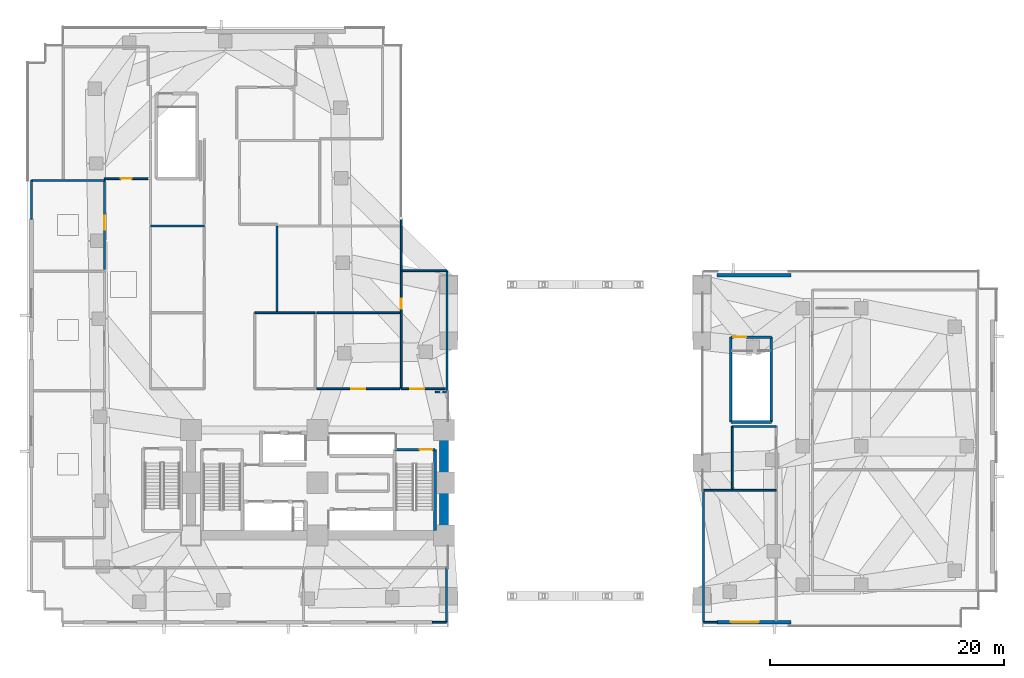
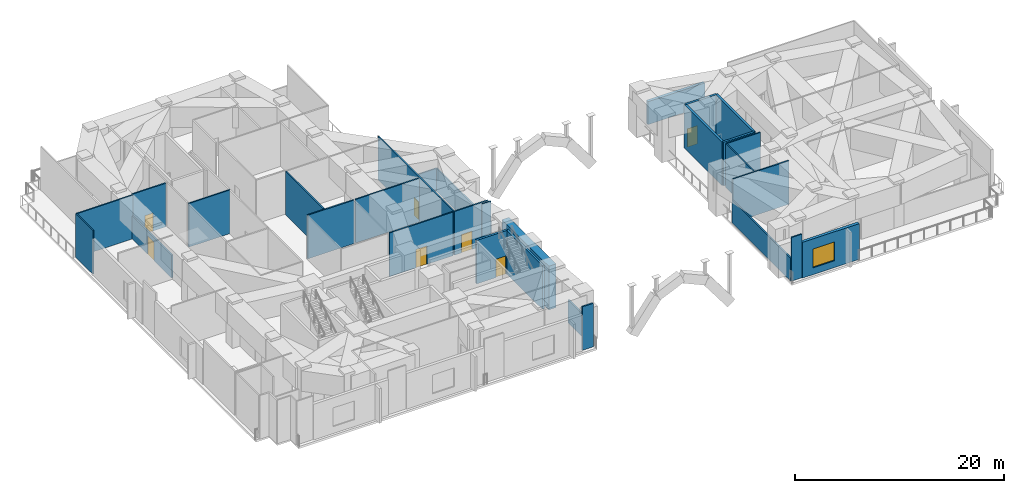
# One storey, part 8 of 15: 30 walls, 7 doors, 1 window, 8 openings.
"""IFC4 building model written with IfcOpenShell, lengths in metres."""

from ifc_helpers import new_model, si_unit, direction, frame, frame_2d, origin, place, context, subcontext, project, spatial, rectangle, extrude, material, layer, layer_set, type_object, element, fill, save


model = new_model("IFC4")

# Units and contexts
model_context = context("Model", 3, precision=1e-05, world=origin(), true_north=direction((0.0, 1.0)))
body_context = subcontext(model_context, "Body", "Model", "MODEL_VIEW")
ifc_project = project(units=[si_unit("LENGTHUNIT", "METRE"), si_unit("AREAUNIT", "SQUARE_METRE"), si_unit("VOLUMEUNIT", "CUBIC_METRE"), si_unit("PLANEANGLEUNIT", "RADIAN"), si_unit("MASSUNIT", "GRAM", prefix="KILO")], contexts=[model_context])

# Site, building, storey
site_placement = place(None, origin())
site = spatial("IfcSite", under=ifc_project, at=site_placement, CompositionType="ELEMENT")
building_placement = place(site_placement, origin())
building = spatial("IfcBuilding", under=site, at=building_placement, Name="Gaonmaruhae Medical Tower", CompositionType="ELEMENT")
storey_placement = place(building_placement, frame((0.0, 0.0, 21.60009765625)))
storey = spatial("IfcBuildingStorey", under=building, at=storey_placement, Name="L04", CompositionType="ELEMENT", Elevation=21.60009765625)

# Wall
ifc_material_1 = material(Name="Concrete C60/75", Category="concrete")
ifc_layer_1 = layer(ifc_material_1, 0.800048828125)
ifc_layer_set_1 = layer_set([ifc_layer_1], Name="Concrete C60/75")
wall_type_1 = type_object("IfcWallType", Name="CW-800 Lower Core Shear Wall", PredefinedType="SHEAR", material=ifc_layer_set_1)
wall_1_placement = place(storey_placement, frame((35.60009765625, 7.800048828125, 0.0), z_axis=(0.0, 0.0, 1.0), x_axis=(0.0, 1.0, 0.0)))
element("IfcWall", 1, at=wall_1_placement, inside=storey, type_object=wall_type_1, Name="L04 Core Shear Wall CSW-E1", PredefinedType="SHEAR", context=body_context, shape_type="SweptSolid", body=[
    extrude(rectangle(XDim=9.0, YDim=0.800048828125, at=frame_2d((4.5, 0.0))), origin(), (0.0, 0.0, 1.0), 5.099853515625),
])

# Wall, opening, window
ifc_material_2 = material(Name="Precast concrete C45/55", Category="concrete")
ifc_layer_2 = layer(ifc_material_2, 0.320068359375)
ifc_layer_set_2 = layer_set([ifc_layer_2], Name="Precast concrete C45/55")
wall_type_2 = type_object("IfcWallType", Name="EW-320 Lower Precast Masonry-Frame Facade Wall", PredefinedType="SOLIDWALL", material=ifc_layer_set_2)
wall_2_placement = place(storey_placement, frame((65.199951171875, 0.39990234375, 0.0), z_axis=(0.0, 0.0, 1.0), x_axis=(-1.0, 0.0, 0.0)))
wall_2 = element("IfcWall", 2, at=wall_2_placement, inside=storey, type_object=wall_type_2, Name="L04 Precast Facade Wall PB-S4", PredefinedType="SOLIDWALL", context=body_context, shape_type="SweptSolid", body=[
    extrude(rectangle(XDim=6.300048828125, YDim=0.320068359375, at=frame_2d((3.14990234375, 0.0))), origin(), (0.0, 0.0, 1.0), 4.179931640625),
])
opening_1_placement = place(wall_2_placement, frame((2.739990234375, 0.0, 0.800048828125)))
opening_1 = element("IfcOpeningElement", 3, at=opening_1_placement, cuts=wall_2, Name="Opening WN-06", PredefinedType="OPENING", context=body_context, shape_type="SweptSolid", body=[
    extrude(rectangle(XDim=2.39990234375, YDim=2.199951171875, at=frame_2d((1.199951171875, 1.10009765625))), frame((0.0, 0.169921875, 0.0), z_axis=(0.0, -1.0, 0.0), x_axis=(1.0, 0.0, 0.0)), (0.0, 0.0, 1.0), 0.340087890625),
])
ifc_material_3 = material(Name="Anodised aluminium and Low-E double glazing", Category="aluminium")
window_type = type_object("IfcWindowType", Name="WN-06 Podium Diagnostic Punched Window 2400x2200", PartitioningType="SINGLE_PANEL", PredefinedType="WINDOW", material=ifc_material_3)
window_placement = place(opening_1_placement, origin())
window = element("IfcWindow", 4, at=window_placement, inside=storey, type_object=window_type, Name="L04 Podium Punched Window PB-S4", OverallHeight=2.199951171875, OverallWidth=2.39990234375, PartitioningType="SINGLE_PANEL", PredefinedType="WINDOW", context=body_context, shape_type="SweptSolid", body=[
    extrude(rectangle(XDim=2.39990234375, YDim=2.199951171875, at=frame_2d((1.199951171875, 1.10009765625))), frame((0.0, 0.030029296875, 0.0), z_axis=(0.0, -1.0, 0.0), x_axis=(1.0, 0.0, 0.0)), (0.0, 0.0, 1.0), 0.06005859375),
])
fill(opening_1, window)

# Walls
wall_3_placement = place(storey_placement, frame((58.89990234375, 30.0, 0.0), z_axis=(0.0, 0.0, 1.0), x_axis=(1.0, 0.0, 0.0)))
element("IfcWall", 5, at=wall_3_placement, inside=storey, type_object=wall_type_2, Name="L04 Precast Facade Wall PB-N1", PredefinedType="SOLIDWALL", context=body_context, shape_type="SweptSolid", body=[
    extrude(rectangle(XDim=6.300048828125, YDim=0.320068359375, at=frame_2d((3.14990234375, 0.0))), origin(), (0.0, 0.0, 1.0), 2.684814453125),
])
ifc_material_4 = material(Name="Gypsum board partition", Category="gypsum")
ifc_layer_3 = layer(ifc_material_4, 0.14990234375)
ifc_layer_set_3 = layer_set([ifc_layer_3], Name="Gypsum board partition")
wall_type_3 = type_object("IfcWallType", Name="PW-150 Rated Clinical Corridor Partition", PredefinedType="PARTITIONING", material=ifc_layer_set_3)
wall_4_placement = place(storey_placement, frame((0.39990234375, 38.10009765625, 0.0), z_axis=(0.0, 0.0, 1.0), x_axis=(1.0, 0.0, 0.0)))
element("IfcWall", 6, at=wall_4_placement, inside=storey, type_object=wall_type_3, Name="L04 Interior Partition L04-WP3-12", PredefinedType="PARTITIONING", context=body_context, shape_type="SweptSolid", body=[
    extrude(rectangle(XDim=6.22021484375, YDim=0.14990234375, at=frame_2d((3.110107421875, 0.0))), origin(), (0.0, 0.0, 1.0), 5.099853515625),
])

# Wall, opening, door
wall_5_placement = place(storey_placement, frame((6.6201171875, 38.10009765625, 0.0), z_axis=(0.0, 0.0, 1.0), x_axis=(0.0, -1.0, 0.0)))
wall_5 = element("IfcWall", 7, at=wall_5_placement, inside=storey, type_object=wall_type_3, Name="L04 Interior Partition L04-WP3-13", PredefinedType="PARTITIONING", context=body_context, shape_type="SweptSolid", body=[
    extrude(rectangle(XDim=7.60009765625, YDim=0.14990234375, at=frame_2d((3.800048828125, 0.0))), origin(), (0.0, 0.0, 1.0), 2.684814453125),
])
opening_2_placement = place(wall_5_placement, frame((3.02490234375, 0.0, 0.0)))
opening_2 = element("IfcOpeningElement", 8, at=opening_2_placement, cuts=wall_5, Name="Opening CD-02", PredefinedType="OPENING", context=body_context, shape_type="SweptSolid", body=[
    extrude(rectangle(XDim=1.199951171875, YDim=2.14990234375, at=frame_2d((0.60009765625, 1.074951171875))), frame((0.0, 0.0849609375, 0.0), z_axis=(0.0, -1.0, 0.0), x_axis=(1.0, 0.0, 0.0)), (0.0, 0.0, 1.0), 0.169921875),
])
ifc_material_5 = material(Name="Antimicrobial laminate timber fire door", Category="wood")
door_type_1 = type_object("IfcDoorType", Name="CD-02 Clinical Treatment & Procedure Door 1200x2150", OperationType="NOTDEFINED", PredefinedType="DOOR", material=ifc_material_5)
door_1_placement = place(opening_2_placement, origin())
door_1 = element("IfcDoor", 9, at=door_1_placement, inside=storey, type_object=door_type_1, Name="L04 L04 Rehabilitation Physiotherapy Suite Door", OperationType="SINGLE_SWING_LEFT", OverallHeight=2.14990234375, OverallWidth=1.199951171875, PredefinedType="DOOR", context=body_context, shape_type="SweptSolid", body=[
    extrude(rectangle(XDim=1.199951171875, YDim=2.14990234375, at=frame_2d((0.60009765625, 1.074951171875))), frame((0.0, 0.02490234375, 0.0), z_axis=(0.0, -1.0, 0.0), x_axis=(1.0, 0.0, 0.0)), (0.0, 0.0, 1.0), 0.050048828125),
])
fill(opening_2, door_1)

# Walls
wall_6_placement = place(storey_placement, frame((0.39990234375, 34.800048828125, 0.0), z_axis=(0.0, 0.0, 1.0), x_axis=(0.0, 1.0, 0.0)))
element("IfcWall", 10, at=wall_6_placement, inside=storey, type_object=wall_type_3, Name="L04 Interior Partition L04-WP3-14", PredefinedType="PARTITIONING", context=body_context, shape_type="SweptSolid", body=[
    extrude(rectangle(XDim=3.300048828125, YDim=0.14990234375, at=frame_2d((1.64990234375, 0.0))), origin(), (0.0, 0.0, 1.0), 5.099853515625),
])
wall_7_placement = place(storey_placement, frame((35.85009765625, 30.39990234375, 0.0), z_axis=(0.0, 0.0, 1.0), x_axis=(0.0, -1.0, 0.0)))
element("IfcWall", 11, at=wall_7_placement, inside=storey, type_object=wall_type_3, Name="L04 Interior Partition L04-WP4-15", PredefinedType="PARTITIONING", context=body_context, shape_type="SweptSolid", body=[
    extrude(rectangle(XDim=10.349853515625, YDim=0.14990234375, at=frame_2d((5.1748046875, 0.0))), origin(), (0.0, 0.0, 1.0), 2.684814453125),
])
wall_8_placement = place(storey_placement, frame((35.85009765625, 20.050048828125, 0.0), z_axis=(0.0, 0.0, 1.0), x_axis=(-1.0, 0.0, 0.0)))
element("IfcWall", 12, at=wall_8_placement, inside=storey, type_object=wall_type_3, Name="L04 Interior Partition L04-WP4-16", PredefinedType="PARTITIONING", context=body_context, shape_type="SweptSolid", body=[
    extrude(rectangle(XDim=0.989990234375, YDim=0.14990234375, at=frame_2d((0.4951171875, 0.0))), origin(), (0.0, 0.0, 1.0), 5.099853515625),
])

# Wall, opening, door
wall_9_placement = place(storey_placement, frame((35.68994140625, 20.31005859375, 0.0), z_axis=(0.0, 0.0, 1.0), x_axis=(-1.0, 0.0, 0.0)))
wall_9 = element("IfcWall", 13, at=wall_9_placement, inside=storey, type_object=wall_type_3, Name="L04 Interior Partition L04-WP4-17", PredefinedType="PARTITIONING", context=body_context, shape_type="SweptSolid", body=[
    extrude(rectangle(XDim=3.739990234375, YDim=0.14990234375, at=frame_2d((1.8701171875, 0.0))), origin(), (0.0, 0.0, 1.0), 5.099853515625),
])
opening_3_placement = place(wall_9_placement, frame((1.7919921875, 0.0, 0.0)))
opening_3 = element("IfcOpeningElement", 14, at=opening_3_placement, cuts=wall_9, Name="Opening CD-02", PredefinedType="OPENING", context=body_context, shape_type="SweptSolid", body=[
    extrude(rectangle(XDim=1.199951171875, YDim=2.14990234375, at=frame_2d((0.60009765625, 1.074951171875))), frame((0.0, 0.0849609375, 0.0), z_axis=(0.0, -1.0, 0.0), x_axis=(1.0, 0.0, 0.0)), (0.0, 0.0, 1.0), 0.169921875),
])
door_2_placement = place(opening_3_placement, origin())
door_2 = element("IfcDoor", 15, at=door_2_placement, inside=storey, type_object=door_type_1, Name="L04 L04 Outpatient Ultrasound Room Door", OperationType="SINGLE_SWING_RIGHT", OverallHeight=2.14990234375, OverallWidth=1.199951171875, PredefinedType="DOOR", context=body_context, shape_type="SweptSolid", body=[
    extrude(rectangle(XDim=1.199951171875, YDim=2.14990234375, at=frame_2d((0.60009765625, 1.074951171875))), frame((0.0, 0.02490234375, 0.0), z_axis=(0.0, -1.0, 0.0), x_axis=(1.0, 0.0, 0.0)), (0.0, 0.0, 1.0), 0.050048828125),
])
fill(opening_3, door_2)

wall_10_placement = place(storey_placement, frame((31.949951171875, 20.31005859375, 0.0), z_axis=(0.0, 0.0, 1.0), x_axis=(0.0, 1.0, 0.0)))
wall_10 = element("IfcWall", 16, at=wall_10_placement, inside=storey, type_object=wall_type_3, Name="L04 Interior Partition L04-WP4-18", PredefinedType="PARTITIONING", context=body_context, shape_type="SweptSolid", body=[
    extrude(rectangle(XDim=14.489990234375, YDim=0.14990234375, at=frame_2d((7.2451171875, 0.0))), origin(), (0.0, 0.0, 1.0), 5.099853515625),
])
opening_4_placement = place(wall_10_placement, frame((6.81494140625, 0.0, 0.0)))
opening_4 = element("IfcOpeningElement", 17, at=opening_4_placement, cuts=wall_10, Name="Opening AD-01", PredefinedType="OPENING", context=body_context, shape_type="SweptSolid", body=[
    extrude(rectangle(XDim=0.860107421875, YDim=2.06005859375, at=frame_2d((0.43017578125, 1.030029296875))), frame((0.0, 0.0849609375, 0.0), z_axis=(0.0, -1.0, 0.0), x_axis=(1.0, 0.0, 0.0)), (0.0, 0.0, 1.0), 0.169921875),
])
ifc_material_6 = material(Name="Powder-coated steel access door", Category="steel")
door_type_2 = type_object("IfcDoorType", Name="AD-01 Riser & Closet Access Fire Door 860x2060", OperationType="NOTDEFINED", PredefinedType="DOOR", material=ifc_material_6)
door_3_placement = place(opening_4_placement, origin())
door_3 = element("IfcDoor", 18, at=door_3_placement, inside=storey, type_object=door_type_2, Name="L04 Sterile Instrument Preparation Room Sliding Door", OperationType="SLIDING_TO_LEFT", OverallHeight=2.06005859375, OverallWidth=0.860107421875, PredefinedType="DOOR", context=body_context, shape_type="SweptSolid", body=[
    extrude(rectangle(XDim=0.860107421875, YDim=2.06005859375, at=frame_2d((0.43017578125, 1.030029296875))), frame((0.0, 0.02490234375, 0.0), z_axis=(0.0, -1.0, 0.0), x_axis=(1.0, 0.0, 0.0)), (0.0, 0.0, 1.0), 0.050048828125),
])
fill(opening_4, door_3)

# Walls
wall_11_placement = place(storey_placement, frame((32.0, 30.39990234375, 0.0), z_axis=(0.0, 0.0, 1.0), x_axis=(1.0, 0.0, 0.0)))
element("IfcWall", 19, at=wall_11_placement, inside=storey, type_object=wall_type_3, Name="L04 Interior Partition L04-WP4-19", PredefinedType="PARTITIONING", context=body_context, shape_type="SweptSolid", body=[
    extrude(rectangle(XDim=3.85009765625, YDim=0.14990234375, at=frame_2d((1.925048828125, 0.0))), origin(), (0.0, 0.0, 1.0), 2.684814453125),
])
wall_12_placement = place(storey_placement, frame((57.75, 11.64990234375, 0.0), z_axis=(0.0, 0.0, 1.0), x_axis=(1.0, 0.0, 0.0)))
element("IfcWall", 20, at=wall_12_placement, inside=storey, type_object=wall_type_3, Name="L04 Interior Partition L04-EA4-30", PredefinedType="PARTITIONING", context=body_context, shape_type="SweptSolid", body=[
    extrude(rectangle(XDim=6.199951171875, YDim=0.14990234375, at=frame_2d((3.10009765625, 0.0))), origin(), (0.0, 0.0, 1.0), 5.099853515625),
])
wall_13_placement = place(storey_placement, frame((58.89990234375, 0.39990234375, 0.0), z_axis=(0.0, 0.0, 1.0), x_axis=(-1.0, 0.0, 0.0)))
element("IfcWall", 21, at=wall_13_placement, inside=storey, type_object=wall_type_3, Name="L04 Interior Partition L04-EA4-32", PredefinedType="PARTITIONING", context=body_context, shape_type="SweptSolid", body=[
    extrude(rectangle(XDim=1.14990234375, YDim=0.14990234375, at=frame_2d((0.574951171875, 0.0))), origin(), (0.0, 0.0, 1.0), 5.099853515625),
])
wall_14_placement = place(storey_placement, frame((57.75, 0.39990234375, 0.0), z_axis=(0.0, 0.0, 1.0), x_axis=(0.0, 1.0, 0.0)))
element("IfcWall", 22, at=wall_14_placement, inside=storey, type_object=wall_type_3, Name="L04 Interior Partition L04-EA4-33", PredefinedType="PARTITIONING", context=body_context, shape_type="SweptSolid", body=[
    extrude(rectangle(XDim=11.25, YDim=0.14990234375, at=frame_2d((5.625, 0.0))), origin(), (0.0, 0.0, 1.0), 2.684814453125),
])
wall_15_placement = place(storey_placement, frame((60.199951171875, 17.10009765625, 0.0), z_axis=(0.0, 0.0, 1.0), x_axis=(1.0, 0.0, 0.0)))
element("IfcWall", 23, at=wall_15_placement, inside=storey, type_object=wall_type_3, Name="L04 Interior Partition L04-EAW-34", PredefinedType="PARTITIONING", context=body_context, shape_type="SweptSolid", body=[
    extrude(rectangle(XDim=3.75, YDim=0.14990234375, at=frame_2d((1.875, 0.0))), origin(), (0.0, 0.0, 1.0), 5.099853515625),
])
wall_16_placement = place(storey_placement, frame((60.199951171875, 11.800048828125, 0.0), z_axis=(0.0, 0.0, 1.0), x_axis=(0.0, 1.0, 0.0)))
element("IfcWall", 24, at=wall_16_placement, inside=storey, type_object=wall_type_3, Name="L04 Interior Partition L04-EAW-36", PredefinedType="PARTITIONING", context=body_context, shape_type="SweptSolid", body=[
    extrude(rectangle(XDim=5.300048828125, YDim=0.14990234375, at=frame_2d((2.64990234375, 0.0))), origin(), (0.0, 0.0, 1.0), 5.099853515625),
])
wall_17_placement = place(storey_placement, frame((35.800048828125, 0.39990234375, 0.0), z_axis=(0.0, 0.0, 1.0), x_axis=(-1.0, 0.0, 0.0)))
element("IfcWall", 25, at=wall_17_placement, inside=storey, type_object=wall_type_3, Name="L04 Interior Partition L04-S3-50", PredefinedType="PARTITIONING", context=body_context, shape_type="SweptSolid", body=[
    extrude(rectangle(XDim=1.199951171875, YDim=0.14990234375, at=frame_2d((0.60009765625, 0.0))), origin(), (0.0, 0.0, 1.0), 5.099853515625),
])
wall_18_placement = place(storey_placement, frame((35.800048828125, 5.0400390625, 0.0), z_axis=(0.0, 0.0, 1.0), x_axis=(0.0, -1.0, 0.0)))
element("IfcWall", 26, at=wall_18_placement, inside=storey, type_object=wall_type_3, Name="L04 Interior Partition L04-S3-53", PredefinedType="PARTITIONING", context=body_context, shape_type="SweptSolid", body=[
    extrude(rectangle(XDim=4.64013671875, YDim=0.14990234375, at=frame_2d((2.320068359375, 0.0))), origin(), (0.0, 0.0, 1.0), 2.684814453125),
])
wall_19_placement = place(storey_placement, frame((19.449951171875, 26.800048828125, 0.0), z_axis=(0.0, 0.0, 1.0), x_axis=(1.0, 0.0, 0.0)))
element("IfcWall", 27, at=wall_19_placement, inside=storey, type_object=wall_type_3, Name="L04 Interior Partition L04-S5-58", PredefinedType="PARTITIONING", context=body_context, shape_type="SweptSolid", body=[
    extrude(rectangle(XDim=5.150146484375, YDim=0.14990234375, at=frame_2d((2.5751953125, 0.0))), origin(), (0.0, 0.0, 1.0), 5.099853515625),
])
wall_20_placement = place(storey_placement, frame((24.75, 26.800048828125, 0.0), z_axis=(0.0, 0.0, 1.0), x_axis=(1.0, 0.0, 0.0)))
element("IfcWall", 28, at=wall_20_placement, inside=storey, type_object=wall_type_3, Name="L04 Interior Partition L04-S6-62", PredefinedType="PARTITIONING", context=body_context, shape_type="SweptSolid", body=[
    extrude(rectangle(XDim=7.050048828125, YDim=0.14990234375, at=frame_2d((3.52490234375, 0.0))), origin(), (0.0, 0.0, 1.0), 5.099853515625),
])

# Wall, opening, door
wall_21_placement = place(storey_placement, frame((31.800048828125, 20.31005859375, 0.0), z_axis=(0.0, 0.0, 1.0), x_axis=(-1.0, 0.0, 0.0)))
wall_21 = element("IfcWall", 29, at=wall_21_placement, inside=storey, type_object=wall_type_3, Name="L04 Interior Partition L04-S6-63", PredefinedType="PARTITIONING", context=body_context, shape_type="SweptSolid", body=[
    extrude(rectangle(XDim=7.050048828125, YDim=0.14990234375, at=frame_2d((3.52490234375, 0.0))), origin(), (0.0, 0.0, 1.0), 5.099853515625),
])
opening_5_placement = place(wall_21_placement, frame((2.925048828125, 0.0, 0.0)))
opening_5 = element("IfcOpeningElement", 30, at=opening_5_placement, cuts=wall_21, Name="Opening CD-02", PredefinedType="OPENING", context=body_context, shape_type="SweptSolid", body=[
    extrude(rectangle(XDim=1.199951171875, YDim=2.14990234375, at=frame_2d((0.60009765625, 1.074951171875))), frame((0.0, 0.0849609375, 0.0), z_axis=(0.0, -1.0, 0.0), x_axis=(1.0, 0.0, 0.0)), (0.0, 0.0, 1.0), 0.169921875),
])
door_4_placement = place(opening_5_placement, origin())
door_4 = element("IfcDoor", 31, at=door_4_placement, inside=storey, type_object=door_type_1, Name="L04 Neurosurgical Intensive Care Ward Door", OperationType="SINGLE_SWING_LEFT", OverallHeight=2.14990234375, OverallWidth=1.199951171875, PredefinedType="DOOR", context=body_context, shape_type="SweptSolid", body=[
    extrude(rectangle(XDim=1.199951171875, YDim=2.14990234375, at=frame_2d((0.60009765625, 1.074951171875))), frame((0.0, 0.02490234375, 0.0), z_axis=(0.0, -1.0, 0.0), x_axis=(1.0, 0.0, 0.0)), (0.0, 0.0, 1.0), 0.050048828125),
])
fill(opening_5, door_4)

# Walls
wall_22_placement = place(storey_placement, frame((10.550048828125, 34.199951171875, 0.0), z_axis=(0.0, 0.0, 1.0), x_axis=(1.0, 0.0, 0.0)))
element("IfcWall", 32, at=wall_22_placement, inside=storey, type_object=wall_type_3, Name="L04 Interior Partition L04-S7-65", PredefinedType="PARTITIONING", context=body_context, shape_type="SweptSolid", body=[
    extrude(rectangle(XDim=4.58984375, YDim=0.14990234375, at=frame_2d((2.294921875, 0.0))), origin(), (0.0, 0.0, 1.0), 5.099853515625),
])
wall_23_placement = place(storey_placement, frame((21.35009765625, 26.949951171875, 0.0), z_axis=(0.0, 0.0, 1.0), x_axis=(0.0, 1.0, 0.0)))
element("IfcWall", 33, at=wall_23_placement, inside=storey, type_object=wall_type_3, Name="L04 Interior Partition L04-S8-68", PredefinedType="PARTITIONING", context=body_context, shape_type="SweptSolid", body=[
    extrude(rectangle(XDim=7.25, YDim=0.14990234375, at=frame_2d((3.625, 0.0))), origin(), (0.0, 0.0, 1.0), 5.099853515625),
])

# Wall, opening, door
wall_24_placement = place(storey_placement, frame((10.35009765625, 38.25, 0.0), z_axis=(0.0, 0.0, 1.0), x_axis=(-1.0, 0.0, 0.0)))
wall_24 = element("IfcWall", 34, at=wall_24_placement, inside=storey, type_object=wall_type_3, Name="L04 Interior Partition L04-PNT-87", PredefinedType="PARTITIONING", context=body_context, shape_type="SweptSolid", body=[
    extrude(rectangle(XDim=3.72998046875, YDim=0.14990234375, at=frame_2d((1.864990234375, 0.0))), origin(), (0.0, 0.0, 1.0), 5.099853515625),
])
opening_6_placement = place(wall_24_placement, frame((1.405029296875, 0.0, 0.0)))
opening_6 = element("IfcOpeningElement", 35, at=opening_6_placement, cuts=wall_24, Name="Opening UD-01", PredefinedType="OPENING", context=body_context, shape_type="SweptSolid", body=[
    extrude(rectangle(XDim=0.919921875, YDim=2.10009765625, at=frame_2d((0.4599609375, 1.050048828125))), frame((0.0, 0.0849609375, 0.0), z_axis=(0.0, -1.0, 0.0), x_axis=(1.0, 0.0, 0.0)), (0.0, 0.0, 1.0), 0.169921875),
])
ifc_material_7 = material(Name="Powder-coated steel utility door", Category="steel")
door_type_3 = type_object("IfcDoorType", Name="UD-01 Toilet, Utility & Housekeeping Door 920x2100", OperationType="NOTDEFINED", PredefinedType="DOOR", material=ifc_material_7)
door_5_placement = place(opening_6_placement, origin())
door_5 = element("IfcDoor", 36, at=door_5_placement, inside=storey, type_object=door_type_3, Name="L04 L04 Surgical Team Pantry Door", OperationType="SINGLE_SWING_LEFT", OverallHeight=2.10009765625, OverallWidth=0.919921875, PredefinedType="DOOR", context=body_context, shape_type="SweptSolid", body=[
    extrude(rectangle(XDim=0.919921875, YDim=2.10009765625, at=frame_2d((0.4599609375, 1.050048828125))), frame((0.0, 0.02490234375, 0.0), z_axis=(0.0, -1.0, 0.0), x_axis=(1.0, 0.0, 0.0)), (0.0, 0.0, 1.0), 0.050048828125),
])
fill(opening_6, door_5)

ifc_material_8 = material(Name="Concrete C50/60", Category="concrete")
ifc_layer_4 = layer(ifc_material_8, 0.239990234375)
ifc_layer_set_4 = layer_set([ifc_layer_4], Name="Concrete C50/60")
wall_type_4 = type_object("IfcWallType", Name="SW-240 Dogleg Stair Tight Shaft Wall", PredefinedType="SOLIDWALL", material=ifc_layer_set_4)
wall_25_placement = place(storey_placement, frame((31.3701171875, 15.1201171875, 0.0), z_axis=(0.0, 0.0, 1.0), x_axis=(1.0, 0.0, 0.0)))
wall_25 = element("IfcWall", 37, at=wall_25_placement, inside=storey, type_object=wall_type_4, Name="L04 ST-02 Stair Shaft Wall SHW-ST-02-N", PredefinedType="SOLIDWALL", context=body_context, shape_type="SweptSolid", body=[
    extrude(rectangle(XDim=3.4599609375, YDim=0.239990234375, at=frame_2d((1.72998046875, 0.0))), origin(), (0.0, 0.0, 1.0), 5.099853515625),
])
opening_7_placement = place(wall_25_placement, frame((2.139892578125, 0.0, 0.0)))
opening_7 = element("IfcOpeningElement", 38, at=opening_7_placement, cuts=wall_25, Name="Opening FD-01", PredefinedType="OPENING", context=body_context, shape_type="SweptSolid", body=[
    extrude(rectangle(XDim=1.10009765625, YDim=2.14990234375, at=frame_2d((0.550048828125, 1.074951171875))), frame((0.0, 0.1298828125, 0.0), z_axis=(0.0, -1.0, 0.0), x_axis=(1.0, 0.0, 0.0)), (0.0, 0.0, 1.0), 0.260009765625),
])
ifc_material_9 = material(Name="Powder-coated steel fire door", Category="steel")
door_type_4 = type_object("IfcDoorType", Name="FD-01 Escape Stair Protected Fire Door 1100x2150", OperationType="NOTDEFINED", PredefinedType="DOOR", material=ifc_material_9)
door_6_placement = place(opening_7_placement, origin())
door_6 = element("IfcDoor", 39, at=door_6_placement, inside=storey, type_object=door_type_4, Name="L04 ST-02 Protected Escape Stair Door", OperationType="SINGLE_SWING_RIGHT", OverallHeight=2.14990234375, OverallWidth=1.10009765625, PredefinedType="DOOR", context=body_context, shape_type="SweptSolid", body=[
    extrude(rectangle(XDim=1.10009765625, YDim=2.14990234375, at=frame_2d((0.550048828125, 1.074951171875))), frame((0.0, 0.02490234375, 0.0), z_axis=(0.0, -1.0, 0.0), x_axis=(1.0, 0.0, 0.0)), (0.0, 0.0, 1.0), 0.050048828125),
])
fill(opening_7, door_6)

# Wall
wall_26_placement = place(storey_placement, frame((34.830078125, 15.1201171875, 0.0), z_axis=(0.0, 0.0, 1.0), x_axis=(0.0, -1.0, 0.0)))
element("IfcWall", 40, at=wall_26_placement, inside=storey, type_object=wall_type_4, Name="L04 ST-02 Stair Shaft Wall SHW-ST-02-E", PredefinedType="SOLIDWALL", context=body_context, shape_type="SweptSolid", body=[
    extrude(rectangle(XDim=6.920166015625, YDim=0.239990234375, at=frame_2d((3.4599609375, 0.0))), origin(), (0.0, 0.0, 1.0), 5.099853515625),
])

# Wall, opening, door
wall_27_placement = place(storey_placement, frame((60.070068359375, 24.719970703125, 0.0), z_axis=(0.0, 0.0, 1.0), x_axis=(1.0, 0.0, 0.0)))
wall_27 = element("IfcWall", 41, at=wall_27_placement, inside=storey, type_object=wall_type_4, Name="L04 ST-04 Stair Shaft Wall SHW-ST-04-N", PredefinedType="SOLIDWALL", context=body_context, shape_type="SweptSolid", body=[
    extrude(rectangle(XDim=3.4599609375, YDim=0.239990234375, at=frame_2d((1.72998046875, 0.0))), origin(), (0.0, 0.0, 1.0), 5.099853515625),
])
opening_8_placement = place(wall_27_placement, frame((0.219970703125, 0.0, 0.0)))
opening_8 = element("IfcOpeningElement", 42, at=opening_8_placement, cuts=wall_27, Name="Opening FD-01", PredefinedType="OPENING", context=body_context, shape_type="SweptSolid", body=[
    extrude(rectangle(XDim=1.10009765625, YDim=2.14990234375, at=frame_2d((0.550048828125, 1.074951171875))), frame((0.0, 0.1298828125, 0.0), z_axis=(0.0, -1.0, 0.0), x_axis=(1.0, 0.0, 0.0)), (0.0, 0.0, 1.0), 0.260009765625),
])
door_7_placement = place(opening_8_placement, origin())
door_7 = element("IfcDoor", 43, at=door_7_placement, inside=storey, type_object=door_type_4, Name="L04 ST-04 Protected Escape Stair Door", OperationType="SINGLE_SWING_RIGHT", OverallHeight=2.14990234375, OverallWidth=1.10009765625, PredefinedType="DOOR", context=body_context, shape_type="SweptSolid", body=[
    extrude(rectangle(XDim=1.10009765625, YDim=2.14990234375, at=frame_2d((0.550048828125, 1.074951171875))), frame((0.0, 0.02490234375, 0.0), z_axis=(0.0, -1.0, 0.0), x_axis=(1.0, 0.0, 0.0)), (0.0, 0.0, 1.0), 0.050048828125),
])
fill(opening_8, door_7)

# Walls
wall_28_placement = place(storey_placement, frame((63.530029296875, 24.719970703125, 0.0), z_axis=(0.0, 0.0, 1.0), x_axis=(0.0, -1.0, 0.0)))
element("IfcWall", 44, at=wall_28_placement, inside=storey, type_object=wall_type_4, Name="L04 ST-04 Stair Shaft Wall SHW-ST-04-E", PredefinedType="SOLIDWALL", context=body_context, shape_type="SweptSolid", body=[
    extrude(rectangle(XDim=7.25, YDim=0.239990234375, at=frame_2d((3.625, 0.0))), origin(), (0.0, 0.0, 1.0), 5.099853515625),
])
wall_29_placement = place(storey_placement, frame((63.530029296875, 17.469970703125, 0.0), z_axis=(0.0, 0.0, 1.0), x_axis=(-1.0, 0.0, 0.0)))
element("IfcWall", 45, at=wall_29_placement, inside=storey, type_object=wall_type_4, Name="L04 ST-04 Stair Shaft Wall SHW-ST-04-S", PredefinedType="SOLIDWALL", context=body_context, shape_type="SweptSolid", body=[
    extrude(rectangle(XDim=3.4599609375, YDim=0.239990234375, at=frame_2d((1.72998046875, 0.0))), origin(), (0.0, 0.0, 1.0), 5.099853515625),
])
wall_30_placement = place(storey_placement, frame((60.070068359375, 17.469970703125, 0.0), z_axis=(0.0, 0.0, 1.0), x_axis=(0.0, 1.0, 0.0)))
element("IfcWall", 46, at=wall_30_placement, inside=storey, type_object=wall_type_4, Name="L04 ST-04 Stair Shaft Wall SHW-ST-04-W", PredefinedType="SOLIDWALL", context=body_context, shape_type="SweptSolid", body=[
    extrude(rectangle(XDim=7.25, YDim=0.239990234375, at=frame_2d((3.625, 0.0))), origin(), (0.0, 0.0, 1.0), 5.099853515625),
])

save(model, "model.ifc")
